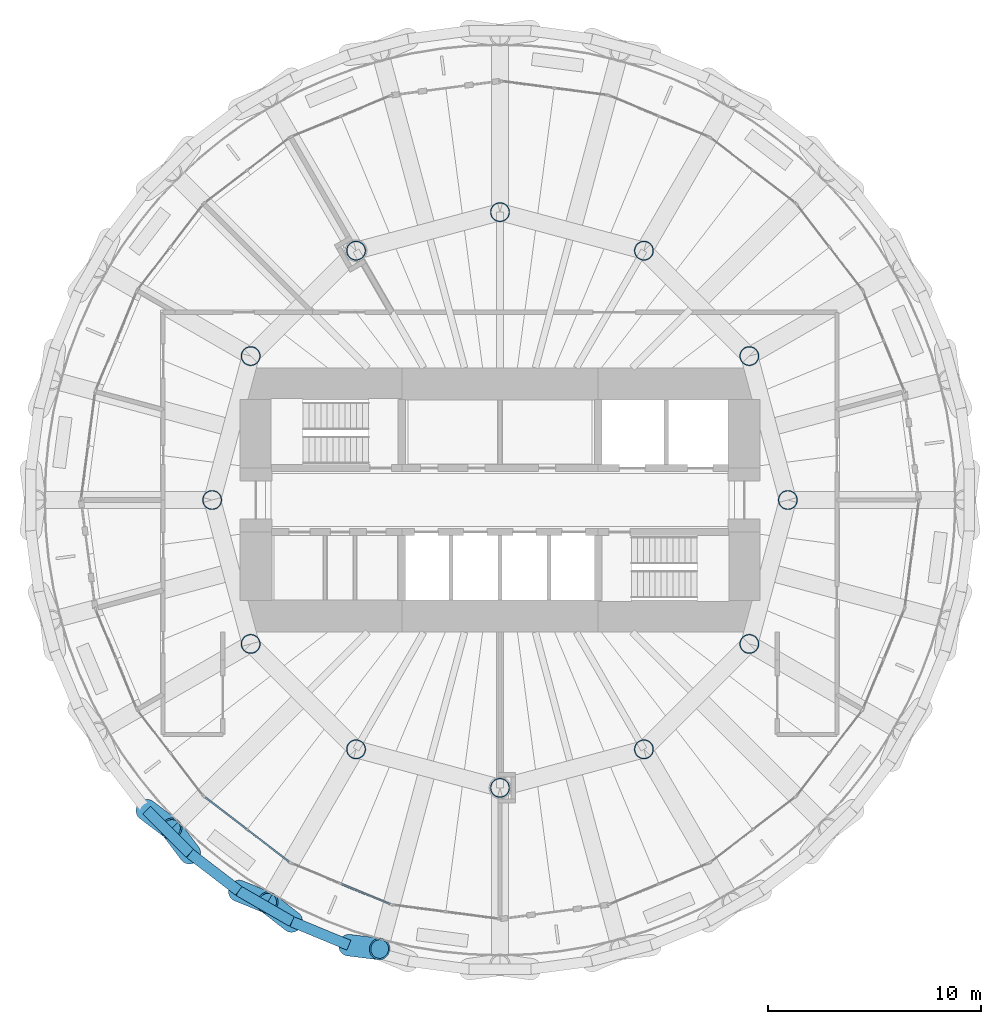
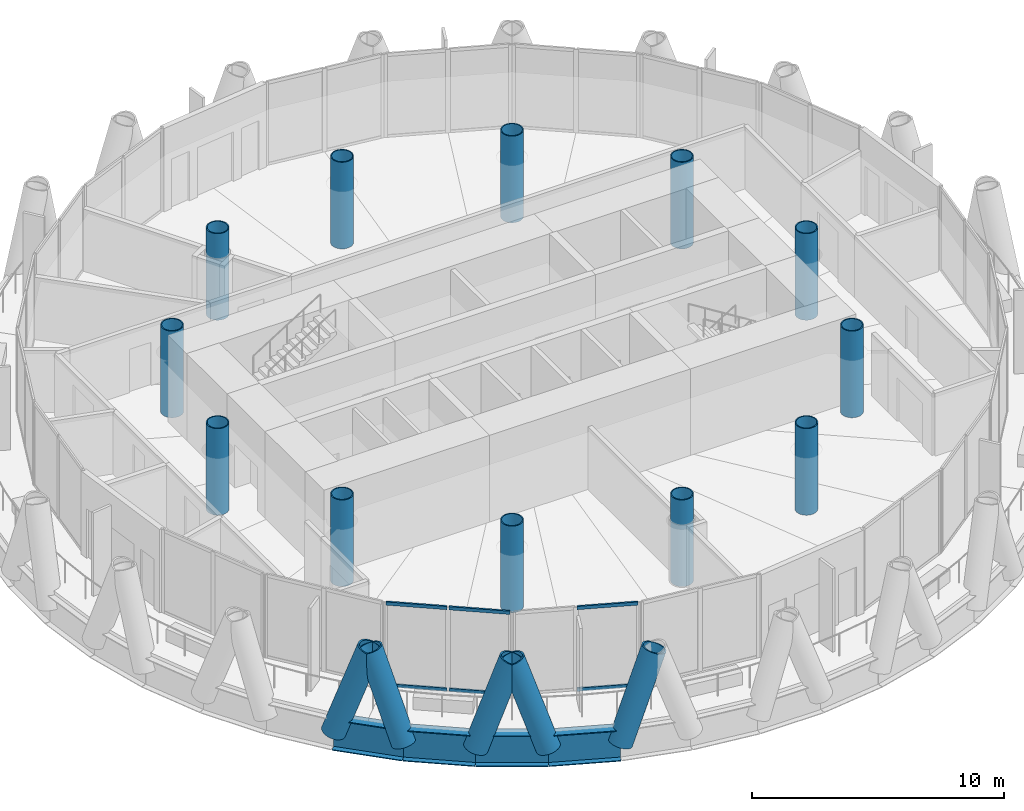
# One storey, part 1 of 15: 12 columns, 11 members, 4 beams, 2 elements without a shape of their own.
"""IFC4 building model written with IfcOpenShell, lengths in metres."""

import ifcopenshell
import ifcopenshell.guid

model = None  # the IFC model being written
_history = None  # IfcOwnerHistory: only IFC2X3 demands one
_inside = {}  # id of a spatial element -> (the spatial element, [elements in it])
_under = {}  # id of a project, library or spatial element -> (it, [spatial elements below it])
_declared = {}  # id of a project -> (the project, [libraries it declares])
_typed = {}  # id of a type object -> (the type object, [elements of that type])
_made_of = {}  # id of a material, layer set ... -> (it, [elements and type objects made of it])


def new_model(schema):
    """Start an empty IFC model of exactly this schema.

    Asked for "IFC4X3", IfcOpenShell would pick the latest addendum, in which some entities
    have other attributes; the version numbers below select the first issue.
    IFC2X3 requires an IfcOwnerHistory on every rooted entity: one is made here for all.
    """
    global model, _history
    if schema == "IFC4X3":
        model = ifcopenshell.file(schema_version=(4, 3, 0, 0))
    else:
        model = ifcopenshell.file(schema=schema)
    _inside.clear()
    _under.clear()
    _declared.clear()
    _typed.clear()
    _made_of.clear()
    _history = None
    if model.schema == "IFC2X3":
        org = make("IfcOrganization", Name="unknown")
        user = make(
            "IfcPersonAndOrganization",
            ThePerson=make("IfcPerson", FamilyName="unknown"),
            TheOrganization=org,
        )
        app = make(
            "IfcApplication",
            ApplicationDeveloper=org,
            Version="unknown",
            ApplicationFullName="unknown",
            ApplicationIdentifier="unknown",
        )
        _history = make(
            "IfcOwnerHistory",
            OwningUser=user,
            OwningApplication=app,
            ChangeAction="ADDED",
            CreationDate=0,
        )
    return model


def make(cls, **values):
    """One entity of the class cls with the attributes given. An attribute that is None is left unset."""
    return model.create_entity(
        cls, **{name: value for name, value in values.items() if value is not None}
    )


def rooted(cls, **values):
    """An entity with a GlobalId (a new one), such as an element, a storey or a relation."""
    return make(cls, GlobalId=ifcopenshell.guid.new(), OwnerHistory=_history, **values)


def si_unit(unit_type, name, prefix=None):
    """IfcSIUnit, for example si_unit("LENGTHUNIT", "METRE", prefix="MILLI")."""
    return make("IfcSIUnit", UnitType=unit_type, Prefix=prefix, Name=name)


def assignment(units):
    """IfcUnitAssignment: the units of a project."""
    return None if units is None else make("IfcUnitAssignment", Units=units)


def point(xyz):
    """IfcCartesianPoint."""
    return None if xyz is None else make("IfcCartesianPoint", Coordinates=xyz)


def direction(xyz):
    """IfcDirection."""
    return None if xyz is None else make("IfcDirection", DirectionRatios=xyz)


def frame(location, z_axis=None, x_axis=None):
    """IfcAxis2Placement3D, a coordinate frame: its origin and axes. An axis left out is left unset."""
    return make(
        "IfcAxis2Placement3D",
        Location=point(location),
        Axis=direction(z_axis),
        RefDirection=direction(x_axis),
    )


def frame_2d(location, x_axis=None):
    """IfcAxis2Placement2D, a coordinate frame in the plane: its origin and x axis."""
    return make(
        "IfcAxis2Placement2D", Location=point(location), RefDirection=direction(x_axis)
    )


def origin():
    """The frame at (0, 0, 0) with its axes left unset."""
    return frame((0.0, 0.0, 0.0))


def origin_2d():
    """The frame at (0, 0) in the plane with its x axis left unset."""
    return frame_2d((0.0, 0.0))


def place(relative_to, where):
    """IfcLocalPlacement: puts the frame where relative to a parent placement (None: the world)."""
    return make(
        "IfcLocalPlacement", PlacementRelTo=relative_to, RelativePlacement=where
    )


def context(
    kind, dimensions, precision=None, world=None, true_north=None, identifier=None
):
    """IfcGeometricRepresentationContext, for example the 3D "Model" context."""
    return make(
        "IfcGeometricRepresentationContext",
        ContextIdentifier=identifier,
        ContextType=kind,
        CoordinateSpaceDimension=dimensions,
        Precision=precision,
        WorldCoordinateSystem=world,
        TrueNorth=true_north,
    )


def subcontext(parent, identifier, kind, view, scale=None):
    """IfcGeometricRepresentationSubContext, for example "Body" below "Model"."""
    return make(
        "IfcGeometricRepresentationSubContext",
        ContextIdentifier=identifier,
        ContextType=kind,
        ParentContext=parent,
        TargetScale=scale,
        TargetView=view,
    )


def project(units=None, contexts=None):
    """IfcProject with its units and contexts."""
    return rooted(
        "IfcProject",
        Name="project",
        RepresentationContexts=contexts,
        UnitsInContext=assignment(units),
    )


def spatial(cls, under=None, at=None, **own):
    """A site, building, storey or space (cls), placed at a placement, below another one or the project."""
    s = rooted(cls, ObjectPlacement=at, **own)
    if under is not None:
        _under.setdefault(under.id(), (under, []))[1].append(s)
    return s


def profile(cls, at=None, kind="AREA", **sizes):
    """A parametric profile (cls). Its sizes go by their IFC names, for example OverallWidth=200.0."""
    return make(cls, ProfileType=kind, Position=at, **sizes)


def rectangle(**sizes):
    """IfcRectangleProfileDef."""
    return profile("IfcRectangleProfileDef", **sizes)


def hollow_circle(**sizes):
    """IfcCircleHollowProfileDef."""
    return profile("IfcCircleHollowProfileDef", **sizes)


def i_section(**sizes):
    """IfcIShapeProfileDef."""
    return profile("IfcIShapeProfileDef", **sizes)


def extrude(swept, where, along, depth):
    """IfcExtrudedAreaSolid: the profile swept, set in the frame where, extruded along a direction by depth."""
    return make(
        "IfcExtrudedAreaSolid",
        SweptArea=swept,
        Position=where,
        ExtrudedDirection=direction(along),
        Depth=depth,
    )


def shape(context_of_items, identifier, shape_type, items):
    """IfcShapeRepresentation: the items that make up one representation, for example the "Body"."""
    return make(
        "IfcShapeRepresentation",
        ContextOfItems=context_of_items,
        RepresentationIdentifier=identifier,
        RepresentationType=shape_type,
        Items=items,
    )


def material(Name=None, Category=None):
    """IfcMaterial."""
    return make("IfcMaterial", Name=Name, Category=Category)


def material_profile(
    of_material, cross_section, Name=None, Category=None, Priority=None
):
    """IfcMaterialProfile: a cross section and its material."""
    return make(
        "IfcMaterialProfile",
        Name=Name,
        Material=of_material,
        Profile=cross_section,
        Priority=Priority,
        Category=Category,
    )


def profile_set(profiles, Name=None, composite=None):
    """IfcMaterialProfileSet."""
    return make(
        "IfcMaterialProfileSet",
        Name=Name,
        MaterialProfiles=profiles,
        CompositeProfile=composite,
    )


def made_of(thing, what):
    """Note that an element or type object is made of a material, layer set ...; save() writes the relation."""
    if what is not None:
        _made_of.setdefault(what.id(), (what, []))[1].append(thing)
    return thing


def type_object(cls, material=None, **own):
    """A type object (cls), such as IfcWallType, which elements share."""
    return made_of(rooted(cls, **own), material)


def element(
    cls,
    number,
    at=None,
    inside=None,
    cuts=None,
    type_object=None,
    material=None,
    context=None,
    identifier="Body",
    shape_type=None,
    held_by="IfcProductDefinitionShape",
    body=None,
    shapes=None,
    **own,
):
    """One element of the class cls, such as IfcWall. Its Tag is "e" and its number.

    at: its placement. inside: the storey or other place that contains it. cuts: it is an
    opening in that element (IfcRelVoidsElement). A single representation is given by context,
    identifier, shape_type and body (its items); several are given by shapes. held_by: the class
    of the entity that holds the representations. save() writes the other relations.
    """
    e = rooted(cls, Tag="e%d" % number, ObjectPlacement=at, **own)
    if body is not None:
        shapes = [shape(context, identifier, shape_type, body)]
    if shapes is not None:
        e.Representation = make(held_by, Representations=shapes)
    if inside is not None:
        _inside.setdefault(inside.id(), (inside, []))[1].append(e)
    if cuts is not None:
        rooted(
            "IfcRelVoidsElement", RelatingBuildingElement=cuts, RelatedOpeningElement=e
        )
    if type_object is not None:
        _typed.setdefault(type_object.id(), (type_object, []))[1].append(e)
    return made_of(e, material)


def aggregate(whole, parts):
    """IfcRelAggregates: a whole, such as a stair, and the parts it consists of."""
    return rooted("IfcRelAggregates", RelatingObject=whole, RelatedObjects=parts)


def save(model, path):
    """Write the relations noted so far, then the file.

    IfcRelAggregates (storeys below a building ...), IfcRelContainedInSpatialStructure (elements
    in a storey), IfcRelDefinesByType, IfcRelAssociatesMaterial and IfcRelDeclares: one each for
    every whole, place, type object, material and project.
    """
    for whole, parts in _under.values():
        aggregate(whole, parts)
    for where, things in _inside.values():
        rooted(
            "IfcRelContainedInSpatialStructure",
            RelatedElements=things,
            RelatingStructure=where,
        )
    for kind, things in _typed.values():
        rooted("IfcRelDefinesByType", RelatedObjects=things, RelatingType=kind)
    for what, things in _made_of.values():
        rooted("IfcRelAssociatesMaterial", RelatedObjects=things, RelatingMaterial=what)
    for by, libraries in _declared.values():
        rooted("IfcRelDeclares", RelatingContext=by, RelatedDefinitions=libraries)
    model.write(path)


model = new_model("IFC4")

# Units and contexts
model_context = context("Model", 3, precision=1e-05, world=origin(), true_north=direction((0.0, 1.0)))
body_context = subcontext(model_context, "Body", "Model", "MODEL_VIEW")
ifc_project = project(units=[si_unit("LENGTHUNIT", "METRE"), si_unit("AREAUNIT", "SQUARE_METRE"), si_unit("VOLUMEUNIT", "CUBIC_METRE"), si_unit("PLANEANGLEUNIT", "RADIAN"), si_unit("MASSUNIT", "GRAM", prefix="KILO")], contexts=[model_context])

# Site, building, storey
site_placement = place(None, origin())
site = spatial("IfcSite", under=ifc_project, at=site_placement, CompositionType="ELEMENT")
building_placement = place(site_placement, origin())
building = spatial("IfcBuilding", under=site, at=building_placement, Name="Qaws Media Tower", CompositionType="ELEMENT")
storey_placement = place(building_placement, frame((0.0, 0.0, 257.0)))
storey = spatial("IfcBuildingStorey", under=building, at=storey_placement, Name="L59", CompositionType="ELEMENT", Elevation=257.0)

# Columns
ifc_material_1 = material(Name="Steel S460", Category="steel")
ifc_material_profile_1 = material_profile(ifc_material_1, hollow_circle(Radius=0.45703125, WallThickness=0.044921875, at=origin_2d()), Name="CHS 914x45")
ifc_profile_set_1 = profile_set([ifc_material_profile_1], Name="Steel S460")
column_type = type_object("IfcColumnType", Name="Inner column CHS 914x45", PredefinedType="COLUMN", material=ifc_profile_set_1)
for number, where, z_axis, x_axis, name in (
    (1, (73.5, 50.0, 0.0), (0.0, 0.0, 1.0), (1.0, 0.0, 0.0), "C3 inner column I01 L59"),
    (2, (71.69140625, 56.75, 0.0), (0.0, 0.0, 1.0), (1.0, 0.0, 0.0), "C3 inner column I02 L59"),
    (3, (66.75, 61.69140625, 0.0), (0.0, 0.0, 1.0), (1.0, 0.0, 0.0), "C3 inner column I03 L59"),
    (4, (60.0, 63.5, 0.0), (0.0, 0.0, 1.0), (1.0, 0.0, 0.0), "C3 inner column I04 L59"),
    (5, (53.25, 61.69140625, 0.0), (0.0, 0.0, 1.0), (1.0, 0.0, 0.0), "C3 inner column I05 L59"),
    (6, (48.30859375, 56.75, 0.0), (0.0, 0.0, 1.0), (1.0, 0.0, 0.0), "C3 inner column I06 L59"),
    (7, (46.5, 50.0, 0.0), (0.0, 0.0, 1.0), (1.0, 0.0, 0.0), "C3 inner column I07 L59"),
    (8, (48.30859375, 43.25, 0.0), (0.0, 0.0, 1.0), (1.0, 0.0, 0.0), "C3 inner column I08 L59"),
    (9, (53.25, 38.30859375, 0.0), (0.0, 0.0, 1.0), (1.0, 0.0, 0.0), "C3 inner column I09 L59"),
    (10, (60.0, 36.5, 0.0), (0.0, 0.0, 1.0), (1.0, 0.0, 0.0), "C3 inner column I10 L59"),
    (11, (66.75, 38.30859375, 0.0), (0.0, 0.0, 1.0), (1.0, 0.0, 0.0), "C3 inner column I11 L59"),
    (12, (71.69140625, 43.25, 0.0), (0.0, 0.0, 1.0), (1.0, 0.0, 0.0), "C3 inner column I12 L59"),
):
    element("IfcColumn", number, at=place(storey_placement, frame(where, z_axis=z_axis, x_axis=x_axis)), inside=storey, type_object=column_type, Name=name, PredefinedType="COLUMN", context=body_context, shape_type="SweptSolid", body=[
        extrude(hollow_circle(Radius=0.45703125, WallThickness=0.044921875, at=origin_2d()), origin(), (0.0, 0.0, 1.0), 4.199951171875),
    ])

# Curtain wall, members
ifc_material_2 = material(Name="Aluminium and clear glass", Category="aluminium")
curtain_wall_type = type_object("IfcCurtainWallType", Name="Unitised curtain wall CW-C", PredefinedType="NOTDEFINED", material=ifc_material_2)
curtain_wall_1_placement = place(storey_placement, origin())
curtain_wall_1 = element("IfcCurtainWall", 13, at=curtain_wall_1_placement, inside=storey, type_object=curtain_wall_type, Name="CWC curtain wall L59-16", PredefinedType="NOTDEFINED")
ifc_material_3 = material(Name="Aluminium transom", Category="aluminium")
ifc_material_profile_2 = material_profile(ifc_material_3, rectangle(XDim=0.080078125, YDim=0.159912109375, at=origin_2d()), Name="80x160")
ifc_profile_set_2 = profile_set([ifc_material_profile_2], Name="Aluminium transom")
member_type_1 = type_object("IfcMemberType", Name="Curtain wall transom 80x160", PredefinedType="USERDEFINED", material=ifc_profile_set_2)
member_1_placement = place(storey_placement, frame((46.168701171875, 36.056640625, 0.0400390625), z_axis=(0.793373254065, -0.608735475995, 0.0), x_axis=(0.608735475995, 0.793373254065, 0.0)))
member_1 = element("IfcMember", 14, at=member_1_placement, type_object=member_type_1, Name="CWC transom 1.1", ObjectType="TRANSOM", PredefinedType="USERDEFINED", context=body_context, shape_type="SweptSolid", body=[
    extrude(rectangle(XDim=0.080078125, YDim=0.159912109375, at=origin_2d()), origin(), (0.0, 0.0, 1.0), 2.44482421875),
])
member_2_placement = place(storey_placement, frame((46.168701171875, 36.056640625, 4.0), z_axis=(0.793373254065, -0.608735475995, 0.0), x_axis=(0.608735475995, 0.793373254065, 0.0)))
member_2 = element("IfcMember", 15, at=member_2_placement, type_object=member_type_1, Name="CWC transom 1.2", ObjectType="TRANSOM", PredefinedType="USERDEFINED", context=body_context, shape_type="SweptSolid", body=[
    extrude(rectangle(XDim=0.080078125, YDim=0.159912109375, at=origin_2d()), origin(), (0.0, 0.0, 1.0), 2.44482421875),
])
member_3_placement = place(storey_placement, frame((48.171875, 34.51953125, 0.0400390625), z_axis=(0.793373254065, -0.608735475995, 0.0), x_axis=(0.608735475995, 0.793373254065, 0.0)))
member_3 = element("IfcMember", 16, at=member_3_placement, type_object=member_type_1, Name="CWC transom 2.1", ObjectType="TRANSOM", PredefinedType="USERDEFINED", context=body_context, shape_type="SweptSolid", body=[
    extrude(rectangle(XDim=0.080078125, YDim=0.159912109375, at=origin_2d()), origin(), (0.0, 0.0, 1.0), 2.44482421875),
])
member_4_placement = place(storey_placement, frame((48.171875, 34.51953125, 4.0), z_axis=(0.793373254065, -0.608735475995, 0.0), x_axis=(0.608735475995, 0.793373254065, 0.0)))
member_4 = element("IfcMember", 17, at=member_4_placement, type_object=member_type_1, Name="CWC transom 2.2", ObjectType="TRANSOM", PredefinedType="USERDEFINED", context=body_context, shape_type="SweptSolid", body=[
    extrude(rectangle(XDim=0.080078125, YDim=0.159912109375, at=origin_2d()), origin(), (0.0, 0.0, 1.0), 2.44482421875),
])
aggregate(curtain_wall_1, [member_1, member_2, member_3, member_4])

curtain_wall_2_placement = place(storey_placement, origin())
curtain_wall_2 = element("IfcCurtainWall", 18, at=curtain_wall_2_placement, inside=storey, type_object=curtain_wall_type, Name="CWC curtain wall L59-17", PredefinedType="NOTDEFINED")
member_5_placement = place(storey_placement, frame((52.58154296875, 31.98583984375, 0.0400390625), z_axis=(0.923890260687, -0.382657531231, 0.0), x_axis=(0.382657531231, 0.923890260687, 0.0)))
member_5 = element("IfcMember", 19, at=member_5_placement, type_object=member_type_1, Name="CWC transom 2.1", ObjectType="TRANSOM", PredefinedType="USERDEFINED", context=body_context, shape_type="SweptSolid", body=[
    extrude(rectangle(XDim=0.080078125, YDim=0.159912109375, at=origin_2d()), origin(), (0.0, 0.0, 1.0), 2.44482421875),
])
member_6_placement = place(storey_placement, frame((52.58154296875, 31.98583984375, 4.0), z_axis=(0.923890260687, -0.382657531231, 0.0), x_axis=(0.382657531231, 0.923890260687, 0.0)))
member_6 = element("IfcMember", 20, at=member_6_placement, type_object=member_type_1, Name="CWC transom 2.2", ObjectType="TRANSOM", PredefinedType="USERDEFINED", context=body_context, shape_type="SweptSolid", body=[
    extrude(rectangle(XDim=0.080078125, YDim=0.159912109375, at=origin_2d()), origin(), (0.0, 0.0, 1.0), 2.44482421875),
])
aggregate(curtain_wall_2, [member_5, member_6])

# Members
ifc_material_4 = material(Name="Steel S460", Category="steel")
ifc_material_profile_3 = material_profile(ifc_material_4, hollow_circle(Radius=0.508056640625, WallThickness=0.070068359375, at=origin_2d()), Name="CHS 1016x70")
ifc_profile_set_3 = profile_set([ifc_material_profile_3], Name="Steel S460")
member_type_2 = type_object("IfcMemberType", Name="Diagrid member CHS 1016x70", PredefinedType="USERDEFINED", material=ifc_profile_set_3)
for number, where, z_axis, x_axis, name in (
    (21, (43.421875, 35.46142578125, -0.909912109375), (0.261644914353, -0.197167347298, 0.944810550297), (0.601822347919, 0.798629990387, 0.0), "DG3 diagrid L59 A15"),
    (22, (47.749755859375, 31.666015625, -0.909912109375), (0.30377002021, -0.122694309374, 0.944812087808), (0.374510169853, 0.927222806383, 0.0), "DG3 diagrid L59 A16"),
    (23, (45.46142578125, 33.421875, -0.909912109375), (-0.197167347298, 0.261644914353, 0.944810550297), (-0.798629990387, -0.601822347919, 0.0), "DG3 diagrid L59 B16"),
    (24, (52.912353515625, 29.1201171875, -0.909912109375), (0.325138959222, -0.039873460202, 0.944825255996), (0.121723230224, 0.992564081167, 0.0), "DG3 diagrid L59 A17"),
    (25, (50.24755859375, 30.223876953125, -0.909912109375), (-0.25813106943, 0.201726684685, 0.94481463562), (-0.615761153047, -0.787932866682, 0.0), "DG3 diagrid L59 B17"),
):
    element("IfcMember", number, at=place(storey_placement, frame(where, z_axis=z_axis, x_axis=x_axis)), inside=storey, type_object=member_type_2, Name=name, ObjectType="DIAGRID", PredefinedType="USERDEFINED", context=body_context, shape_type="SweptSolid", body=[
        extrude(hollow_circle(Radius=0.508056640625, WallThickness=0.070068359375, at=origin_2d()), origin(), (0.0, 0.0, 1.0), 4.4453125),
    ])

# Beams
ifc_material_5 = material(Name="Steel S460", Category="steel")
ifc_material_profile_4 = material_profile(ifc_material_5, i_section(OverallWidth=0.5, OverallDepth=1.5, WebThickness=0.02001953125, FlangeThickness=0.0400390625, at=origin_2d()), Name="PG 1500x500")
ifc_profile_set_4 = profile_set([ifc_material_profile_4], Name="Steel S460")
beam_type = type_object("IfcBeamType", Name="Edge ring beam PG 1500x500", PredefinedType="BEAM", material=ifc_profile_set_4)
for number, where, z_axis, x_axis, name in (
    (26, (43.421875, 35.46142578125, -0.909912109375), (0.707106781187, -0.707106781187, 0.0), (0.707106781187, 0.707106781187, 0.0), "RB4 edge ring beam L59-30"),
    (27, (45.46142578125, 33.421875, -0.909912109375), (0.793359711654, -0.608753125597, 0.0), (0.608753125597, 0.793359711654, 0.0), "RB4 edge ring beam L59-31"),
    (28, (47.749755859375, 31.666015625, -0.909912109375), (0.866020660983, -0.500008214683, 0.0), (0.500008214683, 0.866020660983, 0.0), "RB4 edge ring beam L59-32"),
    (29, (50.24755859375, 30.223876953125, -0.909912109375), (0.923883753017, -0.382673243004, 0.0), (0.382673243004, 0.923883753017, 0.0), "RB4 edge ring beam L59-33"),
):
    element("IfcBeam", number, at=place(storey_placement, frame(where, z_axis=z_axis, x_axis=x_axis)), inside=storey, type_object=beam_type, Name=name, PredefinedType="BEAM", context=body_context, shape_type="SweptSolid", body=[
        extrude(i_section(OverallWidth=0.5, OverallDepth=1.5, WebThickness=0.02001953125, FlangeThickness=0.0400390625, at=origin_2d()), origin(), (0.0, 0.0, 1.0), 2.88427734375),
    ])

save(model, "model.ifc")
